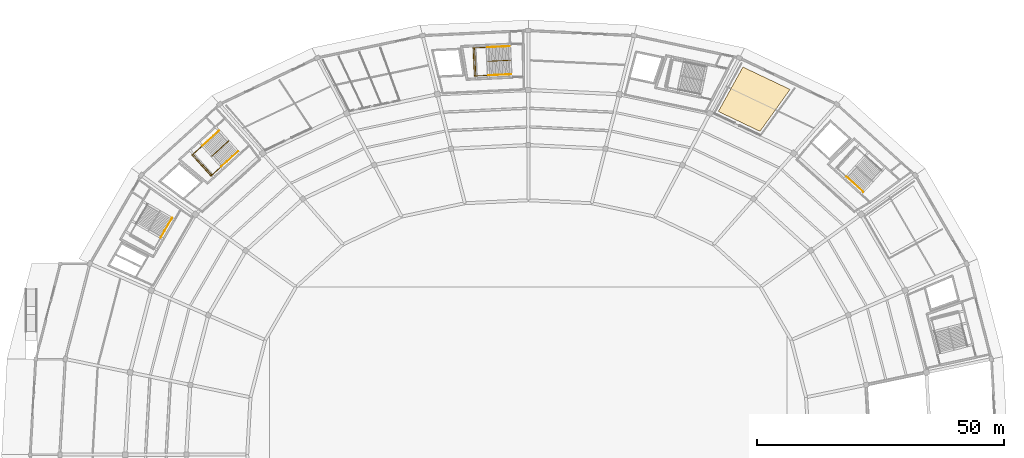
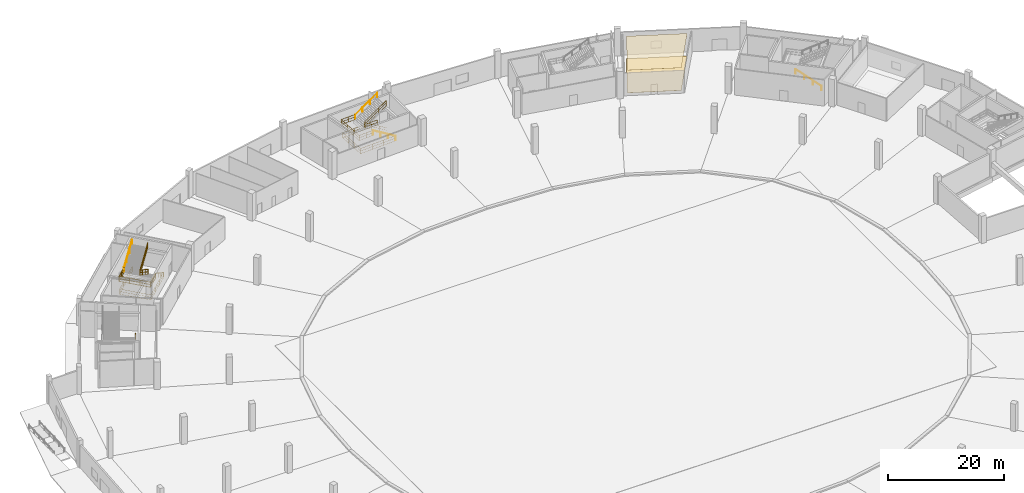
# One storey, part 47 of 48: 12 railings, 2 coverings.
"""IFC4 building model written with IfcOpenShell, lengths in metres."""

from ifc_helpers import new_model, si_unit, direction, frame, origin, origin_2d, place, context, subcontext, project, spatial, polyline, rectangle, outline, extrude, material, layer, layer_set, type_object, element, save


model = new_model("IFC4")

# Units and contexts
model_context = context("Model", 3, precision=1e-05, world=origin(), true_north=direction((0.0, 1.0)))
body_context = subcontext(model_context, "Body", "Model", "MODEL_VIEW")
ifc_project = project(units=[si_unit("LENGTHUNIT", "METRE"), si_unit("AREAUNIT", "SQUARE_METRE"), si_unit("VOLUMEUNIT", "CUBIC_METRE"), si_unit("PLANEANGLEUNIT", "RADIAN"), si_unit("MASSUNIT", "GRAM", prefix="KILO")], contexts=[model_context])

# Site, building, storey
site_placement = place(None, origin())
site = spatial("IfcSite", under=ifc_project, at=site_placement, CompositionType="ELEMENT")
building_placement = place(site_placement, origin())
building = spatial("IfcBuilding", under=site, at=building_placement, Name="Kazemori Nagisa Stadium", CompositionType="ELEMENT")
storey_placement = place(building_placement, origin())
storey = spatial("IfcBuildingStorey", under=building, at=storey_placement, Name="L00", CompositionType="ELEMENT", Elevation=0.0)

# Coverings
ifc_material_1 = material(Name="Mineral-fibre acoustic board", Category="gypsum")
ifc_layer_1 = layer(ifc_material_1, 0.02001953125, Name="Mineral-fibre acoustic board", Category="gypsum")
ifc_layer_set_1 = layer_set([ifc_layer_1], Name="Mineral-fibre acoustic board")
covering_type_1 = type_object("IfcCoveringType", Name="Cov_CEIL", PredefinedType="CEILING", material=ifc_layer_set_1)
covering_1_placement = place(storey_placement, frame((0.0, 0.0, 4.77001953125)))
element("IfcCovering", 1, at=covering_1_placement, inside=storey, type_object=covering_type_1, Name="Acoustic ceiling L00-B05", PredefinedType="CEILING", context=body_context, shape_type="SweptSolid", body=[
    extrude(outline(polyline([(169.9912109375, 167.572021484375), (161.533935546875, 171.5908203125), (166.52734375, 180.60888671875), (176.08056640625, 176.0693359375), (169.9912109375, 167.572021484375)])), origin(), (0.0, 0.0, 1.0), 0.02001953125),
])
ifc_material_2 = material(Name="Porcelain stoneware tile", Category="masonry")
ifc_layer_2 = layer(ifc_material_2, 0.02490234375, Name="Porcelain stoneware tile", Category="masonry")
ifc_layer_set_2 = layer_set([ifc_layer_2], Name="Porcelain stoneware tile")
covering_type_2 = type_object("IfcCoveringType", Name="Cov_FLOOR", PredefinedType="FLOORING", material=ifc_layer_set_2)
covering_2_placement = place(storey_placement, origin())
element("IfcCovering", 2, at=covering_2_placement, inside=storey, type_object=covering_type_2, Name="Porcelain floor finish L00-B05", PredefinedType="FLOORING", context=body_context, shape_type="SweptSolid", body=[
    extrude(outline(polyline([(169.9912109375, 167.572021484375), (161.533935546875, 171.5908203125), (166.52734375, 180.60888671875), (176.08056640625, 176.0693359375), (169.9912109375, 167.572021484375)])), origin(), (0.0, 0.0, 1.0), 0.02490234375),
])

# Railings
ifc_material_3 = material(Name="Galvanised powder-coated steel", Category="steel")
railing_type_1 = type_object("IfcRailingType", Name="Rail_GUARD", PredefinedType="GUARDRAIL", material=ifc_material_3)
railing_1_placement = place(storey_placement, frame((119.452392578125, 179.138427734375, 0.0)))
element("IfcRailing", 3, at=railing_1_placement, inside=storey, type_object=railing_type_1, Name="Stair well perimeter guard ST05-L00", PredefinedType="GUARDRAIL", context=body_context, shape_type="SweptSolid", body=[
    extrude(rectangle(XDim=0.050048828125, YDim=0.050048828125, at=origin_2d()), frame((0.0, 0.0, 1.09521484375), z_axis=(-0.998884968272, -0.04721038191, 0.0), x_axis=(0.04721038191, -0.998884968272, 0.0)), (0.0, 0.0, 1.0), 7.094970703125),
    extrude(rectangle(XDim=0.03759765625, YDim=0.03759765625, at=origin_2d()), frame((0.0, 0.0, 0.58251953125), z_axis=(-0.998884968272, -0.04721038191, 0.0), x_axis=(0.04721038191, -0.998884968272, 0.0)), (0.0, 0.0, 1.0), 7.094970703125),
    extrude(rectangle(XDim=0.03759765625, YDim=0.03759765625, at=origin_2d()), frame((0.0, 0.0, 0.02490234375), z_axis=(-0.998884968272, -0.04721038191, 0.0), x_axis=(0.04721038191, -0.998884968272, 0.0)), (0.0, 0.0, 1.0), 7.094970703125),
    extrude(rectangle(XDim=0.050048828125, YDim=0.050048828125, at=origin_2d()), frame((-7.087158203125, -0.3349609375, 1.09521484375), z_axis=(-0.047200880317, 0.998885417301, 0.0), x_axis=(-0.998885417301, -0.047200880317, 0.0)), (0.0, 0.0, 1.0), 5.699951171875),
    extrude(rectangle(XDim=0.03759765625, YDim=0.03759765625, at=origin_2d()), frame((-7.087158203125, -0.3349609375, 0.58251953125), z_axis=(-0.047200880317, 0.998885417301, 0.0), x_axis=(-0.998885417301, -0.047200880317, 0.0)), (0.0, 0.0, 1.0), 5.699951171875),
    extrude(rectangle(XDim=0.03759765625, YDim=0.03759765625, at=origin_2d()), frame((-7.087158203125, -0.3349609375, 0.02490234375), z_axis=(-0.047200880317, 0.998885417301, 0.0), x_axis=(-0.998885417301, -0.047200880317, 0.0)), (0.0, 0.0, 1.0), 5.699951171875),
    extrude(rectangle(XDim=0.050048828125, YDim=0.050048828125, at=origin_2d()), frame((-7.356201171875, 5.358642578125, 1.09521484375), z_axis=(0.998883268183, 0.047246338956, 0.0), x_axis=(-0.047246338956, 0.998883268183, 0.0)), (0.0, 0.0, 1.0), 7.0947265625),
    extrude(rectangle(XDim=0.03759765625, YDim=0.03759765625, at=origin_2d()), frame((-7.356201171875, 5.358642578125, 0.58251953125), z_axis=(0.998883268183, 0.047246338956, 0.0), x_axis=(-0.047246338956, 0.998883268183, 0.0)), (0.0, 0.0, 1.0), 7.0947265625),
    extrude(rectangle(XDim=0.03759765625, YDim=0.03759765625, at=origin_2d()), frame((-7.356201171875, 5.358642578125, 0.02490234375), z_axis=(0.998883268183, 0.047246338956, 0.0), x_axis=(-0.047246338956, 0.998883268183, 0.0)), (0.0, 0.0, 1.0), 7.0947265625),
    extrude(rectangle(XDim=0.044921875, YDim=0.044921875, at=origin_2d()), origin(), (0.0, 0.0, 1.0), 1.070068359375),
    extrude(rectangle(XDim=0.044921875, YDim=0.044921875, at=origin_2d()), frame((-2.3623046875, -0.111572265625, 0.0)), (0.0, 0.0, 1.0), 1.070068359375),
    extrude(rectangle(XDim=0.044921875, YDim=0.044921875, at=origin_2d()), frame((-4.724853515625, -0.223388671875, 0.0)), (0.0, 0.0, 1.0), 1.070068359375),
    extrude(rectangle(XDim=0.044921875, YDim=0.044921875, at=origin_2d()), frame((-7.087158203125, -0.3349609375, 0.0)), (0.0, 0.0, 1.0), 1.070068359375),
    extrude(rectangle(XDim=0.044921875, YDim=0.044921875, at=origin_2d()), frame((-7.1767578125, 1.56298828125, 0.0)), (0.0, 0.0, 1.0), 1.070068359375),
    extrude(rectangle(XDim=0.044921875, YDim=0.044921875, at=origin_2d()), frame((-7.2666015625, 3.460693359375, 0.0)), (0.0, 0.0, 1.0), 1.070068359375),
    extrude(rectangle(XDim=0.044921875, YDim=0.044921875, at=origin_2d()), frame((-7.356201171875, 5.358642578125, 0.0)), (0.0, 0.0, 1.0), 1.070068359375),
    extrude(rectangle(XDim=0.044921875, YDim=0.044921875, at=origin_2d()), frame((-4.993896484375, 5.470458984375, 0.0)), (0.0, 0.0, 1.0), 1.070068359375),
    extrude(rectangle(XDim=0.044921875, YDim=0.044921875, at=origin_2d()), frame((-2.631591796875, 5.58203125, 0.0)), (0.0, 0.0, 1.0), 1.070068359375),
    extrude(rectangle(XDim=0.044921875, YDim=0.044921875, at=origin_2d()), frame((-0.269287109375, 5.69384765625, 0.0)), (0.0, 0.0, 1.0), 1.070068359375),
])
railing_2_placement = place(storey_placement, frame((119.397705078125, 181.9892578125, 0.0)))
element("IfcRailing", 4, at=railing_2_placement, inside=storey, type_object=railing_type_1, Name="Stair central guard ST05-L00", PredefinedType="GUARDRAIL", context=body_context, shape_type="SweptSolid", body=[
    extrude(rectangle(XDim=0.050048828125, YDim=0.050048828125, at=origin_2d()), frame((0.0, 0.0, 1.09521484375), z_axis=(-0.846331615438, -0.040025862943, 0.531150380783), x_axis=(0.047240555602, -0.998883541714, 0.0)), (0.0, 0.0, 1.0), 5.44091796875),
    extrude(rectangle(XDim=0.03759765625, YDim=0.03759765625, at=origin_2d()), frame((0.0, 0.0, 0.58251953125), z_axis=(-0.846331615438, -0.040025862943, 0.531150380783), x_axis=(0.047240555602, -0.998883541714, 0.0)), (0.0, 0.0, 1.0), 5.44091796875),
    extrude(rectangle(XDim=0.03759765625, YDim=0.03759765625, at=origin_2d()), frame((0.0, 0.0, 0.02490234375), z_axis=(-0.846331615438, -0.040025862943, 0.531150380783), x_axis=(0.047240555602, -0.998883541714, 0.0)), (0.0, 0.0, 1.0), 5.44091796875),
    extrude(rectangle(XDim=0.050048828125, YDim=0.050048828125, at=origin_2d()), frame((-4.604736328125, -0.2177734375, 3.98486328125), z_axis=(0.842093795974, 0.039801131179, 0.537860491893), x_axis=(-0.047211782358, 0.998884902082, 0.0)), (0.0, 0.0, 1.0), 5.373291015625),
    extrude(rectangle(XDim=0.03759765625, YDim=0.03759765625, at=origin_2d()), frame((-4.604736328125, -0.2177734375, 3.472412109375), z_axis=(0.842093795974, 0.039801131179, 0.537860491893), x_axis=(-0.047211782358, 0.998884902082, 0.0)), (0.0, 0.0, 1.0), 5.373291015625),
    extrude(rectangle(XDim=0.03759765625, YDim=0.03759765625, at=origin_2d()), frame((-4.604736328125, -0.2177734375, 2.9150390625), z_axis=(0.842093795974, 0.039801131179, 0.537860491893), x_axis=(-0.047211782358, 0.998884902082, 0.0)), (0.0, 0.0, 1.0), 5.373291015625),
    extrude(rectangle(XDim=0.044921875, YDim=0.044921875, at=origin_2d()), origin(), (0.0, 0.0, 1.0), 1.070068359375),
    extrude(rectangle(XDim=0.044921875, YDim=0.044921875, at=origin_2d()), frame((-1.534912109375, -0.072509765625, 0.96337890625)), (0.0, 0.0, 1.0), 1.070068359375),
    extrude(rectangle(XDim=0.044921875, YDim=0.044921875, at=origin_2d()), frame((-3.06982421875, -0.145263671875, 1.926513671875)), (0.0, 0.0, 1.0), 1.070068359375),
    extrude(rectangle(XDim=0.044921875, YDim=0.044921875, at=origin_2d()), frame((-4.604736328125, -0.2177734375, 2.889892578125)), (0.0, 0.0, 1.0), 1.070068359375),
    extrude(rectangle(XDim=0.044921875, YDim=0.044921875, at=origin_2d()), frame((-3.096435546875, -0.146484375, 3.853271484375)), (0.0, 0.0, 1.0), 1.070068359375),
    extrude(rectangle(XDim=0.044921875, YDim=0.044921875, at=origin_2d()), frame((-1.588134765625, -0.0751953125, 4.816650390625)), (0.0, 0.0, 1.0), 1.070068359375),
    extrude(rectangle(XDim=0.044921875, YDim=0.044921875, at=origin_2d()), frame((-0.079833984375, -0.00390625, 5.780029296875)), (0.0, 0.0, 1.0), 1.070068359375),
])
railing_3_placement = place(storey_placement, frame((114.927490234375, 178.924560546875, 2.889892578125)))
element("IfcRailing", 5, at=railing_3_placement, inside=storey, type_object=railing_type_1, Name="Stair landing guard ST05-L00", PredefinedType="GUARDRAIL", context=body_context, shape_type="SweptSolid", body=[
    extrude(rectangle(XDim=0.050048828125, YDim=0.050048828125, at=origin_2d()), frame((0.0, 0.0, 1.09521484375), z_axis=(-0.998885512722, -0.047198860948, 0.0), x_axis=(0.047198860948, -0.998885512722, 0.0)), (0.0, 0.0, 1.0), 2.85009765625),
    extrude(rectangle(XDim=0.03759765625, YDim=0.03759765625, at=origin_2d()), frame((0.0, 0.0, 0.58251953125), z_axis=(-0.998885512722, -0.047198860948, 0.0), x_axis=(0.047198860948, -0.998885512722, 0.0)), (0.0, 0.0, 1.0), 2.85009765625),
    extrude(rectangle(XDim=0.03759765625, YDim=0.03759765625, at=origin_2d()), frame((0.0, 0.0, 0.02490234375), z_axis=(-0.998885512722, -0.047198860948, 0.0), x_axis=(0.047198860948, -0.998885512722, 0.0)), (0.0, 0.0, 1.0), 2.85009765625),
    extrude(rectangle(XDim=0.050048828125, YDim=0.050048828125, at=origin_2d()), frame((-2.846923828125, -0.134521484375, 1.09521484375), z_axis=(-0.047200880317, 0.998885417301, 0.0), x_axis=(-0.998885417301, -0.047200880317, 0.0)), (0.0, 0.0, 1.0), 5.699951171875),
    extrude(rectangle(XDim=0.03759765625, YDim=0.03759765625, at=origin_2d()), frame((-2.846923828125, -0.134521484375, 0.58251953125), z_axis=(-0.047200880317, 0.998885417301, 0.0), x_axis=(-0.998885417301, -0.047200880317, 0.0)), (0.0, 0.0, 1.0), 5.699951171875),
    extrude(rectangle(XDim=0.03759765625, YDim=0.03759765625, at=origin_2d()), frame((-2.846923828125, -0.134521484375, 0.02490234375), z_axis=(-0.047200880317, 0.998885417301, 0.0), x_axis=(-0.998885417301, -0.047200880317, 0.0)), (0.0, 0.0, 1.0), 5.699951171875),
    extrude(rectangle(XDim=0.050048828125, YDim=0.050048828125, at=origin_2d()), frame((-3.115966796875, 5.55908203125, 1.09521484375), z_axis=(0.998885321869, 0.047202899858, 0.0), x_axis=(-0.047202899858, 0.998885321869, 0.0)), (0.0, 0.0, 1.0), 2.849853515625),
    extrude(rectangle(XDim=0.03759765625, YDim=0.03759765625, at=origin_2d()), frame((-3.115966796875, 5.55908203125, 0.58251953125), z_axis=(0.998885321869, 0.047202899858, 0.0), x_axis=(-0.047202899858, 0.998885321869, 0.0)), (0.0, 0.0, 1.0), 2.849853515625),
    extrude(rectangle(XDim=0.03759765625, YDim=0.03759765625, at=origin_2d()), frame((-3.115966796875, 5.55908203125, 0.02490234375), z_axis=(0.998885321869, 0.047202899858, 0.0), x_axis=(-0.047202899858, 0.998885321869, 0.0)), (0.0, 0.0, 1.0), 2.849853515625),
    extrude(rectangle(XDim=0.044921875, YDim=0.044921875, at=origin_2d()), origin(), (0.0, 0.0, 1.0), 1.070068359375),
    extrude(rectangle(XDim=0.044921875, YDim=0.044921875, at=origin_2d()), frame((-1.42333984375, -0.0673828125, 0.0)), (0.0, 0.0, 1.0), 1.070068359375),
    extrude(rectangle(XDim=0.044921875, YDim=0.044921875, at=origin_2d()), frame((-2.846923828125, -0.134521484375, 0.0)), (0.0, 0.0, 1.0), 1.070068359375),
    extrude(rectangle(XDim=0.044921875, YDim=0.044921875, at=origin_2d()), frame((-2.9365234375, 1.763427734375, 0.0)), (0.0, 0.0, 1.0), 1.070068359375),
    extrude(rectangle(XDim=0.044921875, YDim=0.044921875, at=origin_2d()), frame((-3.0263671875, 3.6611328125, 0.0)), (0.0, 0.0, 1.0), 1.070068359375),
    extrude(rectangle(XDim=0.044921875, YDim=0.044921875, at=origin_2d()), frame((-3.115966796875, 5.55908203125, 0.0)), (0.0, 0.0, 1.0), 1.070068359375),
    extrude(rectangle(XDim=0.044921875, YDim=0.044921875, at=origin_2d()), frame((-1.692626953125, 5.62646484375, 0.0)), (0.0, 0.0, 1.0), 1.070068359375),
    extrude(rectangle(XDim=0.044921875, YDim=0.044921875, at=origin_2d()), frame((-0.269287109375, 5.693603515625, 0.0)), (0.0, 0.0, 1.0), 1.070068359375),
])
railing_4_placement = place(storey_placement, frame((64.12109375, 163.4794921875, 0.0)))
element("IfcRailing", 6, at=railing_4_placement, inside=storey, type_object=railing_type_1, Name="Stair well perimeter guard ST02-L00", PredefinedType="GUARDRAIL", context=body_context, shape_type="SweptSolid", body=[
    extrude(rectangle(XDim=0.050048828125, YDim=0.050048828125, at=origin_2d()), frame((0.0, 0.0, 1.09521484375), z_axis=(-0.741333574744, -0.671136745349, 0.0), x_axis=(0.671136745349, -0.741333574744, 0.0)), (0.0, 0.0, 1.0), 7.094970703125),
    extrude(rectangle(XDim=0.03759765625, YDim=0.03759765625, at=origin_2d()), frame((0.0, 0.0, 0.58251953125), z_axis=(-0.741333574744, -0.671136745349, 0.0), x_axis=(0.671136745349, -0.741333574744, 0.0)), (0.0, 0.0, 1.0), 7.094970703125),
    extrude(rectangle(XDim=0.03759765625, YDim=0.03759765625, at=origin_2d()), frame((0.0, 0.0, 0.02490234375), z_axis=(-0.741333574744, -0.671136745349, 0.0), x_axis=(0.671136745349, -0.741333574744, 0.0)), (0.0, 0.0, 1.0), 7.094970703125),
    extrude(rectangle(XDim=0.050048828125, YDim=0.050048828125, at=origin_2d()), frame((-5.259765625, -4.76171875, 1.09521484375), z_axis=(-0.671112926645, 0.74135513736, 0.0), x_axis=(-0.74135513736, -0.671112926645, 0.0)), (0.0, 0.0, 1.0), 5.7001953125),
    extrude(rectangle(XDim=0.03759765625, YDim=0.03759765625, at=origin_2d()), frame((-5.259765625, -4.76171875, 0.58251953125), z_axis=(-0.671112926645, 0.74135513736, 0.0), x_axis=(-0.74135513736, -0.671112926645, 0.0)), (0.0, 0.0, 1.0), 5.7001953125),
    extrude(rectangle(XDim=0.03759765625, YDim=0.03759765625, at=origin_2d()), frame((-5.259765625, -4.76171875, 0.02490234375), z_axis=(-0.671112926645, 0.74135513736, 0.0), x_axis=(-0.74135513736, -0.671112926645, 0.0)), (0.0, 0.0, 1.0), 5.7001953125),
    extrude(rectangle(XDim=0.050048828125, YDim=0.050048828125, at=origin_2d()), frame((-9.085205078125, -0.535888671875, 1.09521484375), z_axis=(0.741366193318, 0.67110071331, 0.0), x_axis=(-0.67110071331, 0.741366193318, 0.0)), (0.0, 0.0, 1.0), 7.094970703125),
    extrude(rectangle(XDim=0.03759765625, YDim=0.03759765625, at=origin_2d()), frame((-9.085205078125, -0.535888671875, 0.58251953125), z_axis=(0.741366193318, 0.67110071331, 0.0), x_axis=(-0.67110071331, 0.741366193318, 0.0)), (0.0, 0.0, 1.0), 7.094970703125),
    extrude(rectangle(XDim=0.03759765625, YDim=0.03759765625, at=origin_2d()), frame((-9.085205078125, -0.535888671875, 0.02490234375), z_axis=(0.741366193318, 0.67110071331, 0.0), x_axis=(-0.67110071331, 0.741366193318, 0.0)), (0.0, 0.0, 1.0), 7.094970703125),
    extrude(rectangle(XDim=0.044921875, YDim=0.044921875, at=origin_2d()), origin(), (0.0, 0.0, 1.0), 1.070068359375),
    extrude(rectangle(XDim=0.044921875, YDim=0.044921875, at=origin_2d()), frame((-1.753173828125, -1.587158203125, 0.0)), (0.0, 0.0, 1.0), 1.070068359375),
    extrude(rectangle(XDim=0.044921875, YDim=0.044921875, at=origin_2d()), frame((-3.506591796875, -3.174560546875, 0.0)), (0.0, 0.0, 1.0), 1.070068359375),
    extrude(rectangle(XDim=0.044921875, YDim=0.044921875, at=origin_2d()), frame((-5.259765625, -4.76171875, 0.0)), (0.0, 0.0, 1.0), 1.070068359375),
    extrude(rectangle(XDim=0.044921875, YDim=0.044921875, at=origin_2d()), frame((-6.534912109375, -3.35302734375, 0.0)), (0.0, 0.0, 1.0), 1.070068359375),
    extrude(rectangle(XDim=0.044921875, YDim=0.044921875, at=origin_2d()), frame((-7.81005859375, -1.944580078125, 0.0)), (0.0, 0.0, 1.0), 1.070068359375),
    extrude(rectangle(XDim=0.044921875, YDim=0.044921875, at=origin_2d()), frame((-9.085205078125, -0.535888671875, 0.0)), (0.0, 0.0, 1.0), 1.070068359375),
    extrude(rectangle(XDim=0.044921875, YDim=0.044921875, at=origin_2d()), frame((-7.331787109375, 1.05126953125, 0.0)), (0.0, 0.0, 1.0), 1.070068359375),
    extrude(rectangle(XDim=0.044921875, YDim=0.044921875, at=origin_2d()), frame((-5.57861328125, 2.638427734375, 0.0)), (0.0, 0.0, 1.0), 1.070068359375),
    extrude(rectangle(XDim=0.044921875, YDim=0.044921875, at=origin_2d()), frame((-3.8251953125, 4.2255859375, 0.0)), (0.0, 0.0, 1.0), 1.070068359375),
])
railing_5_placement = place(storey_placement, frame((62.267822265625, 165.64599609375, 0.0)))
element("IfcRailing", 7, at=railing_5_placement, inside=storey, type_object=railing_type_1, Name="Stair central guard ST02-L00", PredefinedType="GUARDRAIL", context=body_context, shape_type="SweptSolid", body=[
    extrude(rectangle(XDim=0.050048828125, YDim=0.050048828125, at=origin_2d()), frame((0.0, 0.0, 1.09521484375), z_axis=(-0.628151976789, -0.56860788984, 0.531140434977), x_axis=(0.67109496205, -0.741371399443, 0.0)), (0.0, 0.0, 1.0), 5.44091796875),
    extrude(rectangle(XDim=0.03759765625, YDim=0.03759765625, at=origin_2d()), frame((0.0, 0.0, 0.58251953125), z_axis=(-0.628151976789, -0.56860788984, 0.531140434977), x_axis=(0.67109496205, -0.741371399443, 0.0)), (0.0, 0.0, 1.0), 5.44091796875),
    extrude(rectangle(XDim=0.03759765625, YDim=0.03759765625, at=origin_2d()), frame((0.0, 0.0, 0.02490234375), z_axis=(-0.628151976789, -0.56860788984, 0.531140434977), x_axis=(0.67109496205, -0.741371399443, 0.0)), (0.0, 0.0, 1.0), 5.44091796875),
    extrude(rectangle(XDim=0.050048828125, YDim=0.050048828125, at=origin_2d()), frame((-3.417724609375, -3.09375, 3.98486328125), z_axis=(0.625002843715, 0.565755700054, 0.537858655415), x_axis=(-0.671093937898, 0.741372326511, 0.0)), (0.0, 0.0, 1.0), 5.373291015625),
    extrude(rectangle(XDim=0.03759765625, YDim=0.03759765625, at=origin_2d()), frame((-3.417724609375, -3.09375, 3.472412109375), z_axis=(0.625002843715, 0.565755700054, 0.537858655415), x_axis=(-0.671093937898, 0.741372326511, 0.0)), (0.0, 0.0, 1.0), 5.373291015625),
    extrude(rectangle(XDim=0.03759765625, YDim=0.03759765625, at=origin_2d()), frame((-3.417724609375, -3.09375, 2.9150390625), z_axis=(0.625002843715, 0.565755700054, 0.537858655415), x_axis=(-0.671093937898, 0.741372326511, 0.0)), (0.0, 0.0, 1.0), 5.373291015625),
    extrude(rectangle(XDim=0.044921875, YDim=0.044921875, at=origin_2d()), origin(), (0.0, 0.0, 1.0), 1.070068359375),
    extrude(rectangle(XDim=0.044921875, YDim=0.044921875, at=origin_2d()), frame((-1.13916015625, -1.03125, 0.96337890625)), (0.0, 0.0, 1.0), 1.070068359375),
    extrude(rectangle(XDim=0.044921875, YDim=0.044921875, at=origin_2d()), frame((-2.278564453125, -2.0625, 1.926513671875)), (0.0, 0.0, 1.0), 1.070068359375),
    extrude(rectangle(XDim=0.044921875, YDim=0.044921875, at=origin_2d()), frame((-3.417724609375, -3.09375, 2.889892578125)), (0.0, 0.0, 1.0), 1.070068359375),
    extrude(rectangle(XDim=0.044921875, YDim=0.044921875, at=origin_2d()), frame((-2.29833984375, -2.080322265625, 3.853271484375)), (0.0, 0.0, 1.0), 1.070068359375),
    extrude(rectangle(XDim=0.044921875, YDim=0.044921875, at=origin_2d()), frame((-1.1787109375, -1.067138671875, 4.816650390625)), (0.0, 0.0, 1.0), 1.070068359375),
    extrude(rectangle(XDim=0.044921875, YDim=0.044921875, at=origin_2d()), frame((-0.059326171875, -0.0537109375, 5.780029296875)), (0.0, 0.0, 1.0), 1.070068359375),
])
railing_6_placement = place(storey_placement, frame((60.762939453125, 160.439208984375, 2.889892578125)))
element("IfcRailing", 8, at=railing_6_placement, inside=storey, type_object=railing_type_1, Name="Stair landing guard ST02-L00", PredefinedType="GUARDRAIL", context=body_context, shape_type="SweptSolid", body=[
    extrude(rectangle(XDim=0.050048828125, YDim=0.050048828125, at=origin_2d()), frame((0.0, 0.0, 1.09521484375), z_axis=(-0.741395736118, -0.671068075881, 0.0), x_axis=(0.671068075881, -0.741395736118, 0.0)), (0.0, 0.0, 1.0), 2.85009765625),
    extrude(rectangle(XDim=0.03759765625, YDim=0.03759765625, at=origin_2d()), frame((0.0, 0.0, 0.58251953125), z_axis=(-0.741395736118, -0.671068075881, 0.0), x_axis=(0.671068075881, -0.741395736118, 0.0)), (0.0, 0.0, 1.0), 2.85009765625),
    extrude(rectangle(XDim=0.03759765625, YDim=0.03759765625, at=origin_2d()), frame((0.0, 0.0, 0.02490234375), z_axis=(-0.741395736118, -0.671068075881, 0.0), x_axis=(0.671068075881, -0.741395736118, 0.0)), (0.0, 0.0, 1.0), 2.85009765625),
    extrude(rectangle(XDim=0.050048828125, YDim=0.050048828125, at=origin_2d()), frame((-2.113037109375, -1.91259765625, 1.09521484375), z_axis=(-0.671110696127, 0.741357156534, 0.0), x_axis=(-0.741357156534, -0.671110696127, 0.0)), (0.0, 0.0, 1.0), 5.69970703125),
    extrude(rectangle(XDim=0.03759765625, YDim=0.03759765625, at=origin_2d()), frame((-2.113037109375, -1.91259765625, 0.58251953125), z_axis=(-0.671110696127, 0.741357156534, 0.0), x_axis=(-0.741357156534, -0.671110696127, 0.0)), (0.0, 0.0, 1.0), 5.69970703125),
    extrude(rectangle(XDim=0.03759765625, YDim=0.03759765625, at=origin_2d()), frame((-2.113037109375, -1.91259765625, 0.02490234375), z_axis=(-0.671110696127, 0.741357156534, 0.0), x_axis=(-0.741357156534, -0.671110696127, 0.0)), (0.0, 0.0, 1.0), 5.69970703125),
    extrude(rectangle(XDim=0.050048828125, YDim=0.050048828125, at=origin_2d()), frame((-5.938232421875, 2.31298828125, 1.09521484375), z_axis=(0.741314535645, 0.671157775223, 0.0), x_axis=(-0.671157775223, 0.741314535645, 0.0)), (0.0, 0.0, 1.0), 2.85009765625),
    extrude(rectangle(XDim=0.03759765625, YDim=0.03759765625, at=origin_2d()), frame((-5.938232421875, 2.31298828125, 0.58251953125), z_axis=(0.741314535645, 0.671157775223, 0.0), x_axis=(-0.671157775223, 0.741314535645, 0.0)), (0.0, 0.0, 1.0), 2.85009765625),
    extrude(rectangle(XDim=0.03759765625, YDim=0.03759765625, at=origin_2d()), frame((-5.938232421875, 2.31298828125, 0.02490234375), z_axis=(0.741314535645, 0.671157775223, 0.0), x_axis=(-0.671157775223, 0.741314535645, 0.0)), (0.0, 0.0, 1.0), 2.85009765625),
    extrude(rectangle(XDim=0.044921875, YDim=0.044921875, at=origin_2d()), origin(), (0.0, 0.0, 1.0), 1.070068359375),
    extrude(rectangle(XDim=0.044921875, YDim=0.044921875, at=origin_2d()), frame((-1.056640625, -0.956298828125, 0.0)), (0.0, 0.0, 1.0), 1.070068359375),
    extrude(rectangle(XDim=0.044921875, YDim=0.044921875, at=origin_2d()), frame((-2.113037109375, -1.91259765625, 0.0)), (0.0, 0.0, 1.0), 1.070068359375),
    extrude(rectangle(XDim=0.044921875, YDim=0.044921875, at=origin_2d()), frame((-3.38818359375, -0.504150390625, 0.0)), (0.0, 0.0, 1.0), 1.070068359375),
    extrude(rectangle(XDim=0.044921875, YDim=0.044921875, at=origin_2d()), frame((-4.6630859375, 0.904541015625, 0.0)), (0.0, 0.0, 1.0), 1.070068359375),
    extrude(rectangle(XDim=0.044921875, YDim=0.044921875, at=origin_2d()), frame((-5.938232421875, 2.31298828125, 0.0)), (0.0, 0.0, 1.0), 1.070068359375),
    extrude(rectangle(XDim=0.044921875, YDim=0.044921875, at=origin_2d()), frame((-4.8818359375, 3.26953125, 0.0)), (0.0, 0.0, 1.0), 1.070068359375),
    extrude(rectangle(XDim=0.044921875, YDim=0.044921875, at=origin_2d()), frame((-3.825439453125, 4.225830078125, 0.0)), (0.0, 0.0, 1.0), 1.070068359375),
])
ifc_material_4 = material(Name="Stainless steel SUS304", Category="steel")
railing_type_2 = type_object("IfcRailingType", Name="Rail_HAND", PredefinedType="HANDRAIL", material=ifc_material_4)
railing_7_placement = place(storey_placement, frame((190.935791015625, 155.280517578125, 0.169921875)))
element("IfcRailing", 9, at=railing_7_placement, inside=storey, type_object=railing_type_2, Name="Stair handrail ST01-L00-F1", PredefinedType="HANDRAIL", context=body_context, shape_type="SweptSolid", body=[
    extrude(rectangle(XDim=0.050048828125, YDim=0.050048828125, at=origin_2d()), frame((0.0, 0.0, 0.875), z_axis=(-0.628120980384, 0.56862470065, 0.531159094634), x_axis=(-0.671124068371, -0.741345051142, 0.0)), (0.0, 0.0, 1.0), 5.441162109375),
    extrude(rectangle(XDim=0.044921875, YDim=0.044921875, at=origin_2d()), origin(), (0.0, 0.0, 1.0), 0.849853515625),
    extrude(rectangle(XDim=0.044921875, YDim=0.044921875, at=origin_2d()), frame((-1.13916015625, 1.03125, 0.96337890625)), (0.0, 0.0, 1.0), 0.849853515625),
    extrude(rectangle(XDim=0.044921875, YDim=0.044921875, at=origin_2d()), frame((-2.278564453125, 2.062744140625, 1.9267578125)), (0.0, 0.0, 1.0), 0.849853515625),
    extrude(rectangle(XDim=0.044921875, YDim=0.044921875, at=origin_2d()), frame((-3.417724609375, 3.093994140625, 2.89013671875)), (0.0, 0.0, 1.0), 0.849853515625),
])
railing_8_placement = place(storey_placement, frame((119.5322265625, 179.142333984375, 0.169921875)))
element("IfcRailing", 10, at=railing_8_placement, inside=storey, type_object=railing_type_2, Name="Stair handrail ST05-L00-F1", PredefinedType="HANDRAIL", context=body_context, shape_type="SweptSolid", body=[
    extrude(rectangle(XDim=0.050048828125, YDim=0.050048828125, at=origin_2d()), frame((0.0, 0.0, 0.875), z_axis=(-0.846311444006, -0.040024908968, 0.531182592341), x_axis=(0.047240555602, -0.998883541714, 0.0)), (0.0, 0.0, 1.0), 5.44091796875),
    extrude(rectangle(XDim=0.044921875, YDim=0.044921875, at=origin_2d()), origin(), (0.0, 0.0, 1.0), 0.849853515625),
    extrude(rectangle(XDim=0.044921875, YDim=0.044921875, at=origin_2d()), frame((-1.534912109375, -0.072509765625, 0.96337890625)), (0.0, 0.0, 1.0), 0.849853515625),
    extrude(rectangle(XDim=0.044921875, YDim=0.044921875, at=origin_2d()), frame((-3.06982421875, -0.145263671875, 1.9267578125)), (0.0, 0.0, 1.0), 0.849853515625),
    extrude(rectangle(XDim=0.044921875, YDim=0.044921875, at=origin_2d()), frame((-4.604736328125, -0.2177734375, 2.89013671875)), (0.0, 0.0, 1.0), 0.849853515625),
])
railing_9_placement = place(storey_placement, frame((114.658203125, 184.6181640625, 3.06005859375)))
element("IfcRailing", 11, at=railing_9_placement, inside=storey, type_object=railing_type_2, Name="Stair handrail ST05-L00-F2", PredefinedType="HANDRAIL", context=body_context, shape_type="SweptSolid", body=[
    extrude(rectangle(XDim=0.050048828125, YDim=0.050048828125, at=origin_2d()), frame((0.0, 0.0, 0.875), z_axis=(0.842112850932, 0.039847467911, 0.537827226529), x_axis=(-0.047265556753, 0.998882359012, 0.0)), (0.0, 0.0, 1.0), 5.373291015625),
    extrude(rectangle(XDim=0.044921875, YDim=0.044921875, at=origin_2d()), origin(), (0.0, 0.0, 1.0), 0.849853515625),
    extrude(rectangle(XDim=0.044921875, YDim=0.044921875, at=origin_2d()), frame((1.50830078125, 0.0712890625, 0.96337890625)), (0.0, 0.0, 1.0), 0.849853515625),
    extrude(rectangle(XDim=0.044921875, YDim=0.044921875, at=origin_2d()), frame((3.0166015625, 0.142822265625, 1.926513671875)), (0.0, 0.0, 1.0), 0.849853515625),
    extrude(rectangle(XDim=0.044921875, YDim=0.044921875, at=origin_2d()), frame((4.52490234375, 0.214111328125, 2.889892578125)), (0.0, 0.0, 1.0), 0.849853515625),
])
railing_10_placement = place(storey_placement, frame((64.180419921875, 163.533203125, 0.169921875)))
element("IfcRailing", 12, at=railing_10_placement, inside=storey, type_object=railing_type_2, Name="Stair handrail ST02-L00-F1", PredefinedType="HANDRAIL", context=body_context, shape_type="SweptSolid", body=[
    extrude(rectangle(XDim=0.050048828125, YDim=0.050048828125, at=origin_2d()), frame((0.0, 0.0, 0.875), z_axis=(-0.628093812676, -0.568640726392, 0.53117406447), x_axis=(0.671150416917, -0.741321197507, 0.0)), (0.0, 0.0, 1.0), 5.44091796875),
    extrude(rectangle(XDim=0.044921875, YDim=0.044921875, at=origin_2d()), origin(), (0.0, 0.0, 1.0), 0.849853515625),
    extrude(rectangle(XDim=0.044921875, YDim=0.044921875, at=origin_2d()), frame((-1.13916015625, -1.03125, 0.96337890625)), (0.0, 0.0, 1.0), 0.849853515625),
    extrude(rectangle(XDim=0.044921875, YDim=0.044921875, at=origin_2d()), frame((-2.2783203125, -2.062744140625, 1.9267578125)), (0.0, 0.0, 1.0), 0.849853515625),
    extrude(rectangle(XDim=0.044921875, YDim=0.044921875, at=origin_2d()), frame((-3.41748046875, -3.093994140625, 2.89013671875)), (0.0, 0.0, 1.0), 0.849853515625),
])
railing_11_placement = place(storey_placement, frame((56.9375, 164.6650390625, 3.06005859375)))
element("IfcRailing", 13, at=railing_11_placement, inside=storey, type_object=railing_type_2, Name="Stair handrail ST02-L00-F2", PredefinedType="HANDRAIL", context=body_context, shape_type="SweptSolid", body=[
    extrude(rectangle(XDim=0.050048828125, YDim=0.050048828125, at=origin_2d()), frame((0.0, 0.0, 0.875), z_axis=(0.625018117179, 0.56576952567, 0.537826363263), x_axis=(-0.671093937898, 0.741372326511, 0.0)), (0.0, 0.0, 1.0), 5.373291015625),
    extrude(rectangle(XDim=0.044921875, YDim=0.044921875, at=origin_2d()), origin(), (0.0, 0.0, 1.0), 0.849853515625),
    extrude(rectangle(XDim=0.044921875, YDim=0.044921875, at=origin_2d()), frame((1.119384765625, 1.013427734375, 0.96337890625)), (0.0, 0.0, 1.0), 0.849853515625),
    extrude(rectangle(XDim=0.044921875, YDim=0.044921875, at=origin_2d()), frame((2.239013671875, 2.026611328125, 1.926513671875)), (0.0, 0.0, 1.0), 0.849853515625),
    extrude(rectangle(XDim=0.044921875, YDim=0.044921875, at=origin_2d()), frame((3.3583984375, 3.0400390625, 2.889892578125)), (0.0, 0.0, 1.0), 0.849853515625),
])
railing_12_placement = place(storey_placement, frame((50.776123046875, 150.009765625, 0.169921875)))
element("IfcRailing", 14, at=railing_12_placement, inside=storey, type_object=railing_type_2, Name="Stair handrail ST08-L00-F1", PredefinedType="HANDRAIL", context=body_context, shape_type="SweptSolid", body=[
    extrude(rectangle(XDim=0.050048828125, YDim=0.050048828125, at=origin_2d()), frame((0.0, 0.0, 0.875), z_axis=(-0.424973389626, -0.73296804134, 0.53118308377), x_axis=(0.865107029478, -0.501587308001, 0.0)), (0.0, 0.0, 1.0), 5.44091796875),
    extrude(rectangle(XDim=0.044921875, YDim=0.044921875, at=origin_2d()), origin(), (0.0, 0.0, 1.0), 0.849853515625),
    extrude(rectangle(XDim=0.044921875, YDim=0.044921875, at=origin_2d()), frame((-0.770751953125, -1.329345703125, 0.96337890625)), (0.0, 0.0, 1.0), 0.849853515625),
    extrude(rectangle(XDim=0.044921875, YDim=0.044921875, at=origin_2d()), frame((-1.54150390625, -2.65869140625, 1.9267578125)), (0.0, 0.0, 1.0), 0.849853515625),
    extrude(rectangle(XDim=0.044921875, YDim=0.044921875, at=origin_2d()), frame((-2.312255859375, -3.988037109375, 2.89013671875)), (0.0, 0.0, 1.0), 0.849853515625),
])

save(model, "model.ifc")
